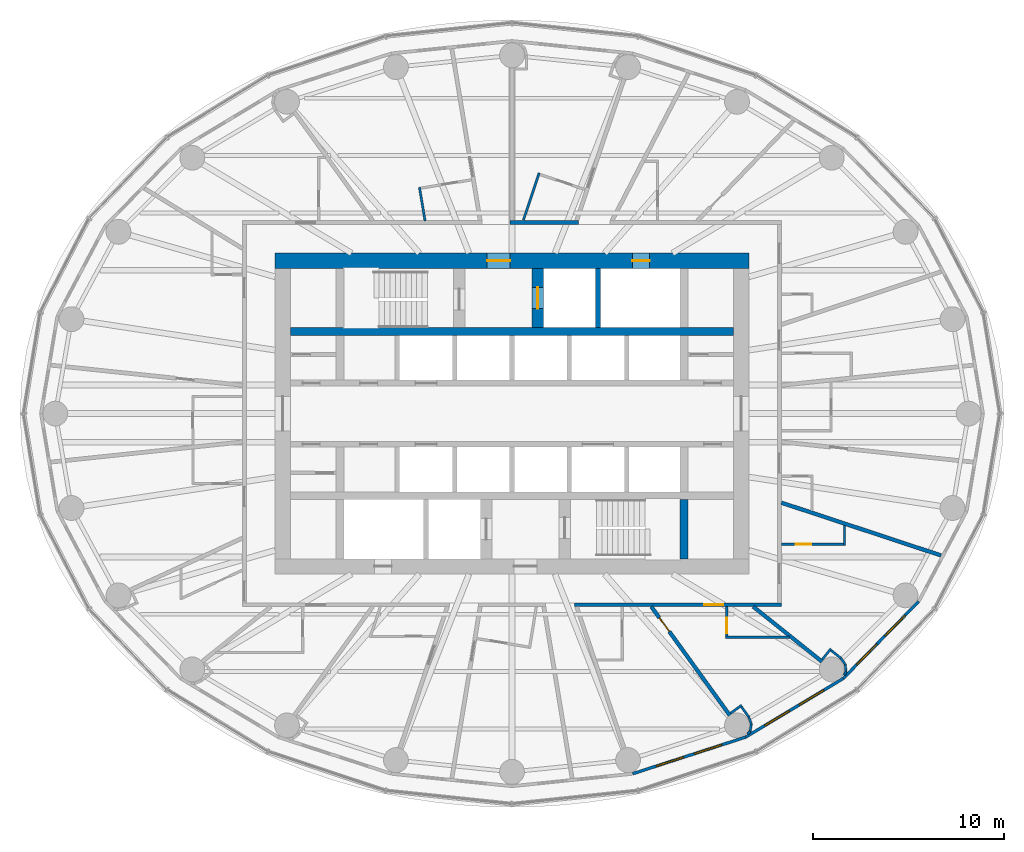
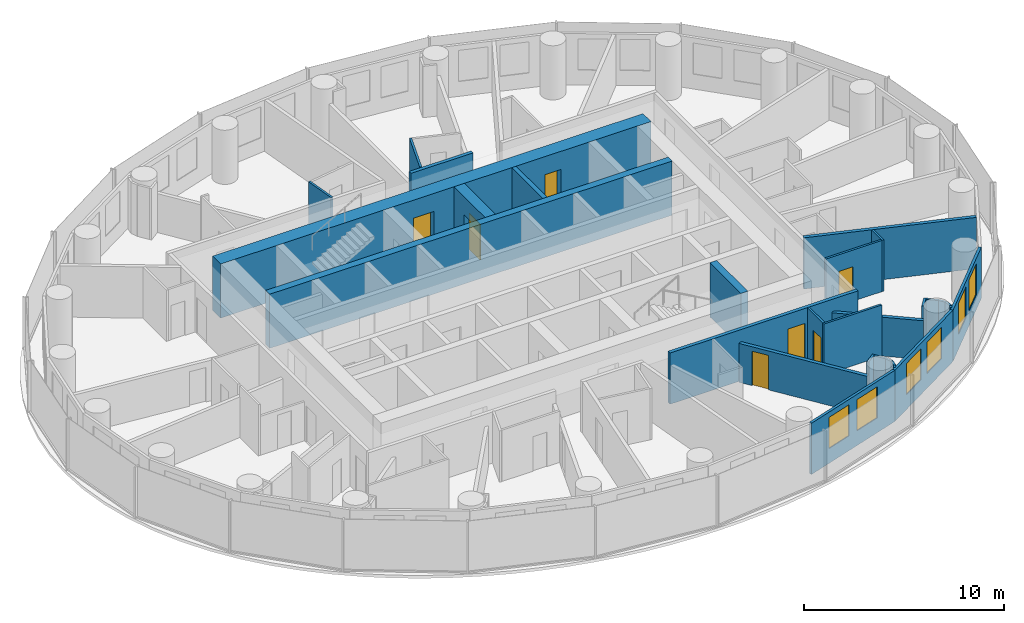
# One storey, part 9 of 13: 29 walls, 7 doors, 6 windows, 13 openings.
"""IFC4 building model written with IfcOpenShell, lengths in metres."""

from ifc_helpers import new_model, si_unit, direction, frame, frame_2d, origin, place, context, subcontext, project, spatial, rectangle, extrude, material, layer, layer_set, type_object, element, fill, save


model = new_model("IFC4")

# Units and contexts
model_context = context("Model", 3, precision=1e-05, world=origin(), true_north=direction((0.0, 1.0)))
body_context = subcontext(model_context, "Body", "Model", "MODEL_VIEW")
ifc_project = project(units=[si_unit("LENGTHUNIT", "METRE"), si_unit("AREAUNIT", "SQUARE_METRE"), si_unit("VOLUMEUNIT", "CUBIC_METRE"), si_unit("PLANEANGLEUNIT", "RADIAN"), si_unit("MASSUNIT", "GRAM", prefix="KILO")], contexts=[model_context])

# Site, building, storey
site_placement = place(None, origin())
site = spatial("IfcSite", under=ifc_project, at=site_placement, CompositionType="ELEMENT")
building_placement = place(site_placement, origin())
building = spatial("IfcBuilding", under=site, at=building_placement, Name="Hankou Lantern Tower", CompositionType="ELEMENT")
storey_placement = place(building_placement, frame((0.0, 0.0, 128.699951171875)))
storey = spatial("IfcBuildingStorey", under=building, at=storey_placement, Name="L33", CompositionType="ELEMENT", Elevation=128.699951171875)

# Wall, openings, doors
ifc_material_1 = material(Name="Concrete C60", Category="concrete")
ifc_layer_1 = layer(ifc_material_1, 0.800048828125)
ifc_layer_set_1 = layer_set([ifc_layer_1], Name="Concrete C60")
wall_type_1 = type_object("IfcWallType", Name="CW2 CORE WALL 800", PredefinedType="SHEAR", material=ifc_layer_set_1)
wall_1_placement = place(storey_placement, frame((-12.39990234375, 8.0, 0.0), z_axis=(0.0, 0.0, 1.0), x_axis=(1.0, 0.0, 0.0)))
wall_1 = element("IfcWall", 1, at=wall_1_placement, inside=storey, type_object=wall_type_1, Name="Core wall north L33", PredefinedType="SHEAR", context=body_context, shape_type="SweptSolid", body=[
    extrude(rectangle(XDim=24.7998046875, YDim=0.800048828125, at=frame_2d((12.39990234375, 0.0))), origin(), (0.0, 0.0, 1.0), 3.300048828125),
])
opening_1_placement = place(wall_1_placement, frame((11.10009765625, 0.0, 0.0)))
opening_1 = element("IfcOpeningElement", 2, at=opening_1_placement, cuts=wall_1, Name="Opening D5", PredefinedType="OPENING", context=body_context, shape_type="SweptSolid", body=[
    extrude(rectangle(XDim=1.199951171875, YDim=2.199951171875, at=frame_2d((0.60009765625, 1.10009765625))), frame((0.0, 0.409912109375, 0.0), z_axis=(0.0, -1.0, 0.0), x_axis=(1.0, 0.0, 0.0)), (0.0, 0.0, 1.0), 0.820068359375),
])
opening_2_placement = place(wall_1_placement, frame((18.699951171875, 0.0, 0.0)))
opening_2 = element("IfcOpeningElement", 3, at=opening_2_placement, cuts=wall_1, Name="Opening D7", PredefinedType="OPENING", context=body_context, shape_type="SweptSolid", body=[
    extrude(rectangle(XDim=0.89990234375, YDim=2.199951171875, at=frame_2d((0.449951171875, 1.10009765625))), frame((0.0, 0.409912109375, 0.0), z_axis=(0.0, -1.0, 0.0), x_axis=(1.0, 0.0, 0.0)), (0.0, 0.0, 1.0), 0.820068359375),
])
ifc_material_2 = material(Name="Steel door leaf", Category="steel")
door_type_1 = type_object("IfcDoorType", Name="D5 STAIR LOBBY DOOR 1200X2200", OperationType="SINGLE_SWING_LEFT", PredefinedType="DOOR", material=ifc_material_2)
door_1_placement = place(opening_1_placement, origin())
door_1 = element("IfcDoor", 4, at=door_1_placement, inside=storey, type_object=door_type_1, Name="Stair A lobby door", OperationType="SINGLE_SWING_LEFT", OverallHeight=2.199951171875, OverallWidth=1.199951171875, PredefinedType="DOOR", context=body_context, shape_type="SweptSolid", body=[
    extrude(rectangle(XDim=1.199951171875, YDim=2.199951171875, at=frame_2d((0.60009765625, 1.10009765625))), frame((0.0, 0.02490234375, 0.0), z_axis=(0.0, -1.0, 0.0), x_axis=(1.0, 0.0, 0.0)), (0.0, 0.0, 1.0), 0.050048828125),
])
fill(opening_1, door_1)
ifc_material_3 = material(Name="Steel door leaf", Category="steel")
door_type_2 = type_object("IfcDoorType", Name="D7 RISER DOOR 900X2200", OperationType="SINGLE_SWING_LEFT", PredefinedType="DOOR", material=ifc_material_3)
door_2_placement = place(opening_2_placement, origin())
door_2 = element("IfcDoor", 5, at=door_2_placement, inside=storey, type_object=door_type_2, Name="Riser N1 door", OperationType="SINGLE_SWING_RIGHT", OverallHeight=2.199951171875, OverallWidth=0.89990234375, PredefinedType="DOOR", context=body_context, shape_type="SweptSolid", body=[
    extrude(rectangle(XDim=0.89990234375, YDim=2.199951171875, at=frame_2d((0.449951171875, 1.10009765625))), frame((0.0, 0.02490234375, 0.0), z_axis=(0.0, -1.0, 0.0), x_axis=(1.0, 0.0, 0.0)), (0.0, 0.0, 1.0), 0.050048828125),
])
fill(opening_2, door_2)

# Walls
ifc_material_4 = material(Name="Concrete C60", Category="concrete")
ifc_layer_2 = layer(ifc_material_4, 0.39990234375)
ifc_layer_set_2 = layer_set([ifc_layer_2], Name="Concrete C60")
wall_type_2 = type_object("IfcWallType", Name="CW4 CORE CROSS WALL 400", PredefinedType="SHEAR", material=ifc_layer_set_2)
wall_2_placement = place(storey_placement, frame((-11.60009765625, 4.300048828125, 0.0), z_axis=(0.0, 0.0, 1.0), x_axis=(1.0, 0.0, 0.0)))
element("IfcWall", 6, at=wall_2_placement, inside=storey, type_object=wall_type_2, Name="Core band wall north L33", PredefinedType="SHEAR", context=body_context, shape_type="SweptSolid", body=[
    extrude(rectangle(XDim=23.2001953125, YDim=0.39990234375, at=frame_2d((11.60009765625, 0.0))), origin(), (0.0, 0.0, 1.0), 3.300048828125),
])
wall_3_placement = place(storey_placement, frame((9.0, -7.60009765625, 0.0), z_axis=(0.0, 0.0, 1.0), x_axis=(0.0, 1.0, 0.0)))
element("IfcWall", 7, at=wall_3_placement, inside=storey, type_object=wall_type_2, Name="Core strip wall L33", PredefinedType="SHEAR", context=body_context, shape_type="SweptSolid", body=[
    extrude(rectangle(XDim=3.10009765625, YDim=0.39990234375, at=frame_2d((1.550048828125, 0.0))), origin(), (0.0, 0.0, 1.0), 3.300048828125),
])

# Wall, opening, door
ifc_material_5 = material(Name="Concrete C60", Category="concrete")
ifc_layer_3 = layer(ifc_material_5, 0.60009765625)
ifc_layer_set_3 = layer_set([ifc_layer_3], Name="Concrete C60")
wall_type_3 = type_object("IfcWallType", Name="CW6 STAIR AND SHAFT WALL 600", PredefinedType="SHEAR", material=ifc_layer_set_3)
wall_4_placement = place(storey_placement, frame((1.35009765625, 4.5, 0.0), z_axis=(0.0, 0.0, 1.0), x_axis=(0.0, 1.0, 0.0)))
wall_4 = element("IfcWall", 8, at=wall_4_placement, inside=storey, type_object=wall_type_3, Name="Firefighting lift shaft wall L33", PredefinedType="SHEAR", context=body_context, shape_type="SweptSolid", body=[
    extrude(rectangle(XDim=3.10009765625, YDim=0.60009765625, at=frame_2d((1.550048828125, 0.0))), origin(), (0.0, 0.0, 1.0), 3.300048828125),
])
opening_3_placement = place(wall_4_placement, frame((1.0, 0.0, 0.0)))
opening_3 = element("IfcOpeningElement", 9, at=opening_3_placement, cuts=wall_4, Name="Opening LD2", PredefinedType="OPENING", context=body_context, shape_type="SweptSolid", body=[
    extrude(rectangle(XDim=1.10009765625, YDim=2.199951171875, at=frame_2d((0.550048828125, 1.10009765625))), frame((0.0, 0.31005859375, 0.0), z_axis=(0.0, -1.0, 0.0), x_axis=(1.0, 0.0, 0.0)), (0.0, 0.0, 1.0), 0.6201171875),
])
ifc_material_6 = material(Name="Steel door leaf", Category="steel")
door_type_3 = type_object("IfcDoorType", Name="LD2 FIREFIGHTING LIFT LANDING DOOR 1100X2200", OperationType="DOUBLE_DOOR_SLIDING", PredefinedType="DOOR", material=ifc_material_6)
door_3_placement = place(opening_3_placement, origin())
door_3 = element("IfcDoor", 10, at=door_3_placement, inside=storey, type_object=door_type_3, Name="Firefighting lift FL1 landing door", OperationType="DOUBLE_DOOR_SLIDING", OverallHeight=2.199951171875, OverallWidth=1.10009765625, PredefinedType="DOOR", context=body_context, shape_type="SweptSolid", body=[
    extrude(rectangle(XDim=1.10009765625, YDim=2.199951171875, at=frame_2d((0.550048828125, 1.10009765625))), frame((0.0, 0.02490234375, 0.0), z_axis=(0.0, -1.0, 0.0), x_axis=(1.0, 0.0, 0.0)), (0.0, 0.0, 1.0), 0.050048828125),
])
fill(opening_3, door_3)

# Wall, openings, windows
ifc_material_7 = material(Name="Aluminium spandrel panel on steel studs", Category="steel")
ifc_layer_4 = layer(ifc_material_7, 0.14990234375)
ifc_layer_set_4 = layer_set([ifc_layer_4], Name="Aluminium spandrel panel on steel studs")
wall_type_4 = type_object("IfcWallType", Name="EW1 INNER SKIN WALL 150", PredefinedType="ELEMENTEDWALL", material=ifc_layer_set_4)
wall_5_placement = place(storey_placement, frame((6.3134765625, -18.849609375, 0.0), z_axis=(0.0, 0.0, 1.0), x_axis=(0.951272691506, 0.308350881944, 0.0)))
wall_5 = element("IfcWall", 11, at=wall_5_placement, inside=storey, type_object=wall_type_4, Name="Inner skin R20-R21 L33", PredefinedType="ELEMENTEDWALL", context=body_context, shape_type="SweptSolid", body=[
    extrude(rectangle(XDim=6.210693359375, YDim=0.14990234375, at=frame_2d((3.10546875, 0.0))), origin(), (0.0, 0.0, 1.0), 3.1201171875),
])
opening_4_placement = place(wall_5_placement, frame((1.305419921875, 0.0, 0.89990234375)))
opening_4 = element("IfcOpeningElement", 12, at=opening_4_placement, cuts=wall_5, Name="Opening W2", PredefinedType="OPENING", context=body_context, shape_type="SweptSolid", body=[
    extrude(rectangle(XDim=1.5, YDim=1.89990234375, at=frame_2d((0.75, 0.949951171875))), frame((0.0, 0.0849609375, 0.0), z_axis=(0.0, -1.0, 0.0), x_axis=(1.0, 0.0, 0.0)), (0.0, 0.0, 1.0), 0.169921875),
])
opening_5_placement = place(wall_5_placement, frame((3.4052734375, 0.0, 0.89990234375)))
opening_5 = element("IfcOpeningElement", 13, at=opening_5_placement, cuts=wall_5, Name="Opening W2", PredefinedType="OPENING", context=body_context, shape_type="SweptSolid", body=[
    extrude(rectangle(XDim=1.5, YDim=1.89990234375, at=frame_2d((0.75, 0.949951171875))), frame((0.0, 0.0849609375, 0.0), z_axis=(0.0, -1.0, 0.0), x_axis=(1.0, 0.0, 0.0)), (0.0, 0.0, 1.0), 0.169921875),
])
ifc_material_8 = material(Name="Aluminium framed double glazed window", Category="aluminium")
window_type = type_object("IfcWindowType", Name="W2 GUEST ROOM WINDOW 1500X1900", PartitioningType="DOUBLE_PANEL_VERTICAL", PredefinedType="WINDOW", material=ifc_material_8)
window_1_placement = place(opening_4_placement, origin())
window_1 = element("IfcWindow", 14, at=window_1_placement, inside=storey, type_object=window_type, Name="Window R20.1 L33", OverallHeight=1.89990234375, OverallWidth=1.5, PartitioningType="SINGLE_PANEL", PredefinedType="WINDOW", context=body_context, shape_type="SweptSolid", body=[
    extrude(rectangle(XDim=1.5, YDim=1.89990234375, at=frame_2d((0.75, 0.949951171875))), frame((0.0, 0.030029296875, 0.0), z_axis=(0.0, -1.0, 0.0), x_axis=(1.0, 0.0, 0.0)), (0.0, 0.0, 1.0), 0.06005859375),
])
fill(opening_4, window_1)
window_2_placement = place(opening_5_placement, origin())
window_2 = element("IfcWindow", 15, at=window_2_placement, inside=storey, type_object=window_type, Name="Window R20.2 L33", OverallHeight=1.89990234375, OverallWidth=1.5, PartitioningType="SINGLE_PANEL", PredefinedType="WINDOW", context=body_context, shape_type="SweptSolid", body=[
    extrude(rectangle(XDim=1.5, YDim=1.89990234375, at=frame_2d((0.75, 0.949951171875))), frame((0.0, 0.030029296875, 0.0), z_axis=(0.0, -1.0, 0.0), x_axis=(1.0, 0.0, 0.0)), (0.0, 0.0, 1.0), 0.06005859375),
])
fill(opening_5, window_2)

wall_6_placement = place(storey_placement, frame((12.221435546875, -16.9345703125, 0.0), z_axis=(0.0, 0.0, 1.0), x_axis=(0.857308573723, 0.514802884044, 0.0)))
wall_6 = element("IfcWall", 16, at=wall_6_placement, inside=storey, type_object=wall_type_4, Name="Inner skin R21-R22 L33", PredefinedType="ELEMENTEDWALL", context=body_context, shape_type="SweptSolid", body=[
    extrude(rectangle(XDim=5.961181640625, YDim=0.14990234375, at=frame_2d((2.98046875, 0.0))), origin(), (0.0, 0.0, 1.0), 3.1201171875),
])
opening_6_placement = place(wall_6_placement, frame((1.1806640625, 0.0, 0.89990234375)))
opening_6 = element("IfcOpeningElement", 17, at=opening_6_placement, cuts=wall_6, Name="Opening W2", PredefinedType="OPENING", context=body_context, shape_type="SweptSolid", body=[
    extrude(rectangle(XDim=1.5, YDim=1.89990234375, at=frame_2d((0.75, 0.949951171875))), frame((0.0, 0.0849609375, 0.0), z_axis=(0.0, -1.0, 0.0), x_axis=(1.0, 0.0, 0.0)), (0.0, 0.0, 1.0), 0.169921875),
])
opening_7_placement = place(wall_6_placement, frame((3.280517578125, 0.0, 0.89990234375)))
opening_7 = element("IfcOpeningElement", 18, at=opening_7_placement, cuts=wall_6, Name="Opening W2", PredefinedType="OPENING", context=body_context, shape_type="SweptSolid", body=[
    extrude(rectangle(XDim=1.5, YDim=1.89990234375, at=frame_2d((0.75, 0.949951171875))), frame((0.0, 0.0849609375, 0.0), z_axis=(0.0, -1.0, 0.0), x_axis=(1.0, 0.0, 0.0)), (0.0, 0.0, 1.0), 0.169921875),
])
window_3_placement = place(opening_6_placement, origin())
window_3 = element("IfcWindow", 19, at=window_3_placement, inside=storey, type_object=window_type, Name="Window R21.1 L33", OverallHeight=1.89990234375, OverallWidth=1.5, PartitioningType="SINGLE_PANEL", PredefinedType="WINDOW", context=body_context, shape_type="SweptSolid", body=[
    extrude(rectangle(XDim=1.5, YDim=1.89990234375, at=frame_2d((0.75, 0.949951171875))), frame((0.0, 0.030029296875, 0.0), z_axis=(0.0, -1.0, 0.0), x_axis=(1.0, 0.0, 0.0)), (0.0, 0.0, 1.0), 0.06005859375),
])
fill(opening_6, window_3)
window_4_placement = place(opening_7_placement, origin())
window_4 = element("IfcWindow", 20, at=window_4_placement, inside=storey, type_object=window_type, Name="Window R21.2 L33", OverallHeight=1.89990234375, OverallWidth=1.5, PartitioningType="SINGLE_PANEL", PredefinedType="WINDOW", context=body_context, shape_type="SweptSolid", body=[
    extrude(rectangle(XDim=1.5, YDim=1.89990234375, at=frame_2d((0.75, 0.949951171875))), frame((0.0, 0.030029296875, 0.0), z_axis=(0.0, -1.0, 0.0), x_axis=(1.0, 0.0, 0.0)), (0.0, 0.0, 1.0), 0.06005859375),
])
fill(opening_7, window_4)

wall_7_placement = place(storey_placement, frame((17.33203125, -13.86572265625, 0.0), z_axis=(0.0, 0.0, 1.0), x_axis=(0.700136650834, 0.714008872605, 0.0)))
wall_7 = element("IfcWall", 21, at=wall_7_placement, inside=storey, type_object=wall_type_4, Name="Inner skin R22-R23 L33", PredefinedType="ELEMENTEDWALL", context=body_context, shape_type="SweptSolid", body=[
    extrude(rectangle(XDim=5.6494140625, YDim=0.14990234375, at=frame_2d((2.82470703125, 0.0))), origin(), (0.0, 0.0, 1.0), 3.1201171875),
])
opening_8_placement = place(wall_7_placement, frame((1.024658203125, 0.0, 0.89990234375)))
opening_8 = element("IfcOpeningElement", 22, at=opening_8_placement, cuts=wall_7, Name="Opening W2", PredefinedType="OPENING", context=body_context, shape_type="SweptSolid", body=[
    extrude(rectangle(XDim=1.5, YDim=1.89990234375, at=frame_2d((0.75, 0.949951171875))), frame((0.0, 0.0849609375, 0.0), z_axis=(0.0, -1.0, 0.0), x_axis=(1.0, 0.0, 0.0)), (0.0, 0.0, 1.0), 0.169921875),
])
opening_9_placement = place(wall_7_placement, frame((3.12451171875, 0.0, 0.89990234375)))
opening_9 = element("IfcOpeningElement", 23, at=opening_9_placement, cuts=wall_7, Name="Opening W2", PredefinedType="OPENING", context=body_context, shape_type="SweptSolid", body=[
    extrude(rectangle(XDim=1.5, YDim=1.89990234375, at=frame_2d((0.75, 0.949951171875))), frame((0.0, 0.0849609375, 0.0), z_axis=(0.0, -1.0, 0.0), x_axis=(1.0, 0.0, 0.0)), (0.0, 0.0, 1.0), 0.169921875),
])
window_5_placement = place(opening_8_placement, origin())
window_5 = element("IfcWindow", 24, at=window_5_placement, inside=storey, type_object=window_type, Name="Window R22.1 L33", OverallHeight=1.89990234375, OverallWidth=1.5, PartitioningType="SINGLE_PANEL", PredefinedType="WINDOW", context=body_context, shape_type="SweptSolid", body=[
    extrude(rectangle(XDim=1.5, YDim=1.89990234375, at=frame_2d((0.75, 0.949951171875))), frame((0.0, 0.030029296875, 0.0), z_axis=(0.0, -1.0, 0.0), x_axis=(1.0, 0.0, 0.0)), (0.0, 0.0, 1.0), 0.06005859375),
])
fill(opening_8, window_5)
window_6_placement = place(opening_9_placement, origin())
window_6 = element("IfcWindow", 25, at=window_6_placement, inside=storey, type_object=window_type, Name="Window R22.2 L33", OverallHeight=1.89990234375, OverallWidth=1.5, PartitioningType="SINGLE_PANEL", PredefinedType="WINDOW", context=body_context, shape_type="SweptSolid", body=[
    extrude(rectangle(XDim=1.5, YDim=1.89990234375, at=frame_2d((0.75, 0.949951171875))), frame((0.0, 0.030029296875, 0.0), z_axis=(0.0, -1.0, 0.0), x_axis=(1.0, 0.0, 0.0)), (0.0, 0.0, 1.0), 0.06005859375),
])
fill(opening_9, window_6)

# Walls
ifc_material_9 = material(Name="Masonry lightweight concrete block", Category="masonry")
ifc_layer_5 = layer(ifc_material_9, 0.199951171875)
ifc_layer_set_5 = layer_set([ifc_layer_5], Name="Masonry lightweight concrete block")
wall_type_5 = type_object("IfcWallType", Name="IW1 GUEST ROOM PARTY WALL 200", PredefinedType="PARTITIONING", material=ifc_layer_set_5)
wall_8_placement = place(storey_placement, frame((12.625, -10.10009765625, 0.0), z_axis=(0.0, 0.0, 1.0), x_axis=(0.780863644897, -0.624701503182, 0.0)))
element("IfcWall", 26, at=wall_8_placement, inside=storey, type_object=wall_type_5, Name="Party wall R22", PredefinedType="PARTITIONING", context=body_context, shape_type="SweptSolid", body=[
    extrude(rectangle(XDim=4.612060546875, YDim=0.199951171875, at=frame_2d((2.30615234375, 0.0))), origin(), (0.0, 0.0, 1.0), 2.3701171875),
])
wall_9_placement = place(storey_placement, frame((14.10009765625, -4.662353515625, 0.0), z_axis=(0.0, 0.0, 1.0), x_axis=(0.949446466373, -0.313928984789, 0.0)))
element("IfcWall", 27, at=wall_9_placement, inside=storey, type_object=wall_type_5, Name="Party wall R23-R24", PredefinedType="PARTITIONING", context=body_context, shape_type="SweptSolid", body=[
    extrude(rectangle(XDim=8.79736328125, YDim=0.199951171875, at=frame_2d((4.398681640625, 0.0))), origin(), (0.0, 0.0, 1.0), 3.1201171875),
])

# Wall, opening, door
ifc_material_10 = material(Name="Masonry lightweight concrete block", Category="masonry")
ifc_layer_6 = layer(ifc_material_10, 0.199951171875)
ifc_layer_set_6 = layer_set([ifc_layer_6], Name="Masonry lightweight concrete block")
wall_type_6 = type_object("IfcWallType", Name="IW2 CORRIDOR WALL 200", PredefinedType="PARTITIONING", material=ifc_layer_set_6)
wall_10_placement = place(storey_placement, frame((14.10009765625, -10.0, 0.0), z_axis=(0.0, 0.0, 1.0), x_axis=(-1.0, 0.0, 0.0)))
wall_10 = element("IfcWall", 28, at=wall_10_placement, inside=storey, type_object=wall_type_6, Name="Corridor wall south", PredefinedType="PARTITIONING", context=body_context, shape_type="SweptSolid", body=[
    extrude(rectangle(XDim=10.817138671875, YDim=0.199951171875, at=frame_2d((5.40869140625, 0.0))), origin(), (0.0, 0.0, 1.0), 3.1201171875),
])
opening_10_placement = place(wall_10_placement, frame((3.034912109375, 0.0, 0.0)))
opening_10 = element("IfcOpeningElement", 29, at=opening_10_placement, cuts=wall_10, Name="Opening D2", PredefinedType="OPENING", context=body_context, shape_type="SweptSolid", body=[
    extrude(rectangle(XDim=1.0, YDim=2.199951171875, at=frame_2d((0.5, 1.10009765625))), frame((0.0, 0.10986328125, 0.0), z_axis=(0.0, -1.0, 0.0), x_axis=(1.0, 0.0, 0.0)), (0.0, 0.0, 1.0), 0.219970703125),
])
ifc_material_11 = material(Name="Steel door leaf", Category="steel")
door_type_4 = type_object("IfcDoorType", Name="D2 SUITE DOOR 1000X2200", OperationType="SINGLE_SWING_LEFT", PredefinedType="DOOR", material=ifc_material_11)
door_4_placement = place(opening_10_placement, origin())
door_4 = element("IfcDoor", 30, at=door_4_placement, inside=storey, type_object=door_type_4, Name="Suite door 3314C", OperationType="SINGLE_SWING_LEFT", OverallHeight=2.199951171875, OverallWidth=1.0, PredefinedType="DOOR", context=body_context, shape_type="SweptSolid", body=[
    extrude(rectangle(XDim=1.0, YDim=2.199951171875, at=frame_2d((0.5, 1.10009765625))), frame((0.0, 0.02490234375, 0.0), z_axis=(0.0, -1.0, 0.0), x_axis=(1.0, 0.0, 0.0)), (0.0, 0.0, 1.0), 0.050048828125),
])
fill(opening_10, door_4)

# Walls
wall_11_placement = place(storey_placement, frame((-0.10009765625, 10.0, 0.0), z_axis=(0.0, 0.0, 1.0), x_axis=(1.0, 0.0, 0.0)))
element("IfcWall", 31, at=wall_11_placement, inside=storey, type_object=wall_type_6, Name="Corridor wall north", PredefinedType="PARTITIONING", context=body_context, shape_type="SweptSolid", body=[
    extrude(rectangle(XDim=3.5830078125, YDim=0.199951171875, at=frame_2d((1.79150390625, 0.0))), origin(), (0.0, 0.0, 1.0), 3.1201171875),
])
ifc_material_12 = material(Name="Masonry lightweight concrete block", Category="masonry")
ifc_layer_7 = layer(ifc_material_12, 0.1201171875)
ifc_layer_set_7 = layer_set([ifc_layer_7], Name="Masonry lightweight concrete block")
wall_type_7 = type_object("IfcWallType", Name="IW3 BATHROOM WALL 120", PredefinedType="PARTITIONING", material=ifc_layer_set_7)
wall_12_placement = place(storey_placement, frame((0.598876953125, 10.1318359375, 0.0), z_axis=(0.0, 0.0, 1.0), x_axis=(0.317554522053, 0.948240014724, 0.0)))
element("IfcWall", 32, at=wall_12_placement, inside=storey, type_object=wall_type_7, Name="Box wall 3302 1", PredefinedType="PARTITIONING", context=body_context, shape_type="SweptSolid", body=[
    extrude(rectangle(XDim=2.593994140625, YDim=0.1201171875, at=frame_2d((1.296875, 0.0))), origin(), (0.0, 0.0, 1.0), 3.1201171875),
])
wall_13_placement = place(storey_placement, frame((-4.551025390625, 10.083740234375, 0.0), z_axis=(0.0, 0.0, 1.0), x_axis=(-0.162625830583, 0.986687812445, 0.0)))
element("IfcWall", 33, at=wall_13_placement, inside=storey, type_object=wall_type_7, Name="Box wall 3304 1", PredefinedType="PARTITIONING", context=body_context, shape_type="SweptSolid", body=[
    extrude(rectangle(XDim=1.786376953125, YDim=0.1201171875, at=frame_2d((0.89306640625, 0.0))), origin(), (0.0, 0.0, 1.0), 3.1201171875),
])
wall_14_placement = place(storey_placement, frame((14.52490234375, -11.699951171875, 0.0), z_axis=(0.0, 0.0, 1.0), x_axis=(-1.0, 0.0, 0.0)))
element("IfcWall", 34, at=wall_14_placement, inside=storey, type_object=wall_type_7, Name="Box wall 3314C 1", PredefinedType="PARTITIONING", context=body_context, shape_type="SweptSolid", body=[
    extrude(rectangle(XDim=3.33984375, YDim=0.1201171875, at=frame_2d((1.669921875, 0.0))), origin(), (0.0, 0.0, 1.0), 3.1201171875),
])

# Wall, opening, door
wall_15_placement = place(storey_placement, frame((11.2451171875, -10.10009765625, 0.0), z_axis=(0.0, 0.0, 1.0), x_axis=(0.0, -1.0, 0.0)))
wall_15 = element("IfcWall", 35, at=wall_15_placement, inside=storey, type_object=wall_type_7, Name="Box wall 3314C 1", PredefinedType="PARTITIONING", context=body_context, shape_type="SweptSolid", body=[
    extrude(rectangle(XDim=1.539794921875, YDim=0.1201171875, at=frame_2d((0.77001953125, 0.0))), origin(), (0.0, 0.0, 1.0), 3.1201171875),
])
opening_11_placement = place(wall_15_placement, frame((0.590087890625, 0.0, 0.0)))
opening_11 = element("IfcOpeningElement", 36, at=opening_11_placement, cuts=wall_15, Name="Opening D3", PredefinedType="OPENING", context=body_context, shape_type="SweptSolid", body=[
    extrude(rectangle(XDim=0.800048828125, YDim=2.10009765625, at=frame_2d((0.39990234375, 1.050048828125))), frame((0.0, 0.070068359375, 0.0), z_axis=(0.0, -1.0, 0.0), x_axis=(1.0, 0.0, 0.0)), (0.0, 0.0, 1.0), 0.14013671875),
])
ifc_material_13 = material(Name="Timber door leaf", Category="wood")
door_type_5 = type_object("IfcDoorType", Name="D3 BATHROOM DOOR 800X2100", OperationType="SINGLE_SWING_LEFT", PredefinedType="DOOR", material=ifc_material_13)
door_5_placement = place(opening_11_placement, origin())
door_5 = element("IfcDoor", 37, at=door_5_placement, inside=storey, type_object=door_type_5, Name="Suite 3314 guest WC door", OperationType="SINGLE_SWING_RIGHT", OverallHeight=2.10009765625, OverallWidth=0.800048828125, PredefinedType="DOOR", context=body_context, shape_type="SweptSolid", body=[
    extrude(rectangle(XDim=0.800048828125, YDim=2.10009765625, at=frame_2d((0.39990234375, 1.050048828125))), frame((0.0, 0.02490234375, 0.0), z_axis=(0.0, -1.0, 0.0), x_axis=(1.0, 0.0, 0.0)), (0.0, 0.0, 1.0), 0.050048828125),
])
fill(opening_11, door_5)

# Wall
wall_16_placement = place(storey_placement, frame((17.39990234375, -5.853515625, 0.0), z_axis=(0.0, 0.0, 1.0), x_axis=(0.0, -1.0, 0.0)))
element("IfcWall", 38, at=wall_16_placement, inside=storey, type_object=wall_type_7, Name="Box wall 3315 1", PredefinedType="PARTITIONING", context=body_context, shape_type="SweptSolid", body=[
    extrude(rectangle(XDim=1.048828125, YDim=0.1201171875, at=frame_2d((0.5244140625, 0.0))), origin(), (0.0, 0.0, 1.0), 3.1201171875),
])

# Wall, opening, door
wall_17_placement = place(storey_placement, frame((14.10009765625, -6.84228515625, 0.0), z_axis=(0.0, 0.0, 1.0), x_axis=(1.0, 0.0, 0.0)))
wall_17 = element("IfcWall", 39, at=wall_17_placement, inside=storey, type_object=wall_type_7, Name="Box wall 3315 1", PredefinedType="PARTITIONING", context=body_context, shape_type="SweptSolid", body=[
    extrude(rectangle(XDim=3.239990234375, YDim=0.1201171875, at=frame_2d((1.6201171875, 0.0))), origin(), (0.0, 0.0, 1.0), 3.1201171875),
])
opening_12_placement = place(wall_17_placement, frame((0.75, 0.0, 0.0)))
opening_12 = element("IfcOpeningElement", 40, at=opening_12_placement, cuts=wall_17, Name="Opening D3", PredefinedType="OPENING", context=body_context, shape_type="SweptSolid", body=[
    extrude(rectangle(XDim=0.800048828125, YDim=2.10009765625, at=frame_2d((0.39990234375, 1.050048828125))), frame((0.0, 0.070068359375, 0.0), z_axis=(0.0, -1.0, 0.0), x_axis=(1.0, 0.0, 0.0)), (0.0, 0.0, 1.0), 0.14013671875),
])
door_6_placement = place(opening_12_placement, origin())
door_6 = element("IfcDoor", 41, at=door_6_placement, inside=storey, type_object=door_type_5, Name="En-suite bathroom 3315 door", OperationType="SINGLE_SWING_LEFT", OverallHeight=2.10009765625, OverallWidth=0.800048828125, PredefinedType="DOOR", context=body_context, shape_type="SweptSolid", body=[
    extrude(rectangle(XDim=0.800048828125, YDim=2.10009765625, at=frame_2d((0.39990234375, 1.050048828125))), frame((0.0, 0.02490234375, 0.0), z_axis=(0.0, -1.0, 0.0), x_axis=(1.0, 0.0, 0.0)), (0.0, 0.0, 1.0), 0.050048828125),
])
fill(opening_12, door_6)

# Walls
ifc_material_14 = material(Name="Masonry lightweight concrete block", Category="masonry")
ifc_layer_8 = layer(ifc_material_14, 0.1201171875)
ifc_layer_set_8 = layer_set([ifc_layer_8], Name="Masonry lightweight concrete block")
wall_type_8 = type_object("IfcWallType", Name="IW4 PARTITION 120", PredefinedType="PARTITIONING", material=ifc_layer_set_8)
wall_18_placement = place(storey_placement, frame((11.44091796875, -15.68212890625, 0.0), z_axis=(0.0, 0.0, 1.0), x_axis=(0.810796141244, 0.585328640461, 0.0)))
element("IfcWall", 42, at=wall_18_placement, inside=storey, type_object=wall_type_8, Name="Column casing R21 return", PredefinedType="PARTITIONING", context=body_context, shape_type="SweptSolid", body=[
    extrude(rectangle(XDim=0.7158203125, YDim=0.1201171875, at=frame_2d((0.35791015625, 0.0))), origin(), (0.0, 0.0, 1.0), 3.1201171875),
])
wall_19_placement = place(storey_placement, frame((12.0078125, -15.346923828125, 0.0), z_axis=(0.0, 0.0, 1.0), x_axis=(0.585175102182, -0.810906961239, 0.0)))
element("IfcWall", 43, at=wall_19_placement, inside=storey, type_object=wall_type_8, Name="Column casing R21", PredefinedType="PARTITIONING", context=body_context, shape_type="SweptSolid", body=[
    extrude(rectangle(XDim=0.64990234375, YDim=0.1201171875, at=frame_2d((0.324951171875, 0.0))), origin(), (0.0, 0.0, 1.0), 3.1201171875),
])
for number, where, z_axis, x_axis, name in (
    (44, (12.38818359375, -15.8740234375, 0.0), (0.0, 0.0, 1.0), (0.355086882425, -0.934833303819, 0.0), "Column casing R21"),
    (45, (12.527099609375, -16.23974609375, 0.0), (0.0, 0.0, 1.0), (-0.159134335894, -0.987256938765, 0.0), "Column casing R21"),
):
    element("IfcWall", number, at=place(storey_placement, frame(where, z_axis=z_axis, x_axis=x_axis)), inside=storey, type_object=wall_type_8, Name=name, PredefinedType="PARTITIONING", context=body_context, shape_type="SweptSolid", body=[
        extrude(rectangle(XDim=0.39111328125, YDim=0.1201171875, at=frame_2d((0.195556640625, 0.0))), origin(), (0.0, 0.0, 1.0), 3.1201171875),
    ])
wall_20_placement = place(storey_placement, frame((12.46484375, -16.6259765625, 0.0), z_axis=(0.0, 0.0, 1.0), x_axis=(-0.631672951162, -0.775234985517, 0.0)))
element("IfcWall", 46, at=wall_20_placement, inside=storey, type_object=wall_type_8, Name="Column casing R21", PredefinedType="PARTITIONING", context=body_context, shape_type="SweptSolid", body=[
    extrude(rectangle(XDim=0.18701171875, YDim=0.1201171875, at=frame_2d((0.093505859375, 0.0))), origin(), (0.0, 0.0, 1.0), 3.1201171875),
])
wall_21_placement = place(storey_placement, frame((16.241943359375, -12.865478515625, 0.0), z_axis=(0.0, 0.0, 1.0), x_axis=(0.624861414622, 0.780735686719, 0.0)))
element("IfcWall", 47, at=wall_21_placement, inside=storey, type_object=wall_type_8, Name="Column casing R22 return", PredefinedType="PARTITIONING", context=body_context, shape_type="SweptSolid", body=[
    extrude(rectangle(XDim=0.7158203125, YDim=0.1201171875, at=frame_2d((0.35791015625, 0.0))), origin(), (0.0, 0.0, 1.0), 3.1201171875),
])
wall_22_placement = place(storey_placement, frame((16.698486328125, -12.390869140625, 0.0), z_axis=(0.0, 0.0, 1.0), x_axis=(0.780722240533, -0.624878214645, 0.0)))
element("IfcWall", 48, at=wall_22_placement, inside=storey, type_object=wall_type_8, Name="Column casing R22", PredefinedType="PARTITIONING", context=body_context, shape_type="SweptSolid", body=[
    extrude(rectangle(XDim=0.650146484375, YDim=0.1201171875, at=frame_2d((0.3251953125, 0.0))), origin(), (0.0, 0.0, 1.0), 3.1201171875),
])
wall_23_placement = place(storey_placement, frame((17.2060546875, -12.797119140625, 0.0), z_axis=(0.0, 0.0, 1.0), x_axis=(0.592986095904, -0.805212698648, 0.0)))
element("IfcWall", 49, at=wall_23_placement, inside=storey, type_object=wall_type_8, Name="Column casing R22", PredefinedType="PARTITIONING", context=body_context, shape_type="SweptSolid", body=[
    extrude(rectangle(XDim=0.39111328125, YDim=0.1201171875, at=frame_2d((0.195556640625, 0.0))), origin(), (0.0, 0.0, 1.0), 3.1201171875),
])
wall_24_placement = place(storey_placement, frame((17.43798828125, -13.112060546875, 0.0), z_axis=(0.0, 0.0, 1.0), x_axis=(0.109815164188, -0.993952025862, 0.0)))
element("IfcWall", 50, at=wall_24_placement, inside=storey, type_object=wall_type_8, Name="Column casing R22", PredefinedType="PARTITIONING", context=body_context, shape_type="SweptSolid", body=[
    extrude(rectangle(XDim=0.391357421875, YDim=0.1201171875, at=frame_2d((0.19580078125, 0.0))), origin(), (0.0, 0.0, 1.0), 3.1201171875),
])
wall_25_placement = place(storey_placement, frame((17.48095703125, -13.5009765625, 0.0), z_axis=(0.0, 0.0, 1.0), x_axis=(-0.401504188288, -0.915857186895, 0.0)))
element("IfcWall", 51, at=wall_25_placement, inside=storey, type_object=wall_type_8, Name="Column casing R22", PredefinedType="PARTITIONING", context=body_context, shape_type="SweptSolid", body=[
    extrude(rectangle(XDim=0.20556640625, YDim=0.1201171875, at=frame_2d((0.102783203125, 0.0))), origin(), (0.0, 0.0, 1.0), 3.1201171875),
])

# Wall, opening, door
ifc_material_15 = material(Name="Masonry lightweight concrete block", Category="masonry")
ifc_layer_9 = layer(ifc_material_15, 0.199951171875)
ifc_layer_set_9 = layer_set([ifc_layer_9], Name="Masonry lightweight concrete block")
wall_type_9 = type_object("IfcWallType", Name="IW6 SUITE PARTITION 200", PredefinedType="PARTITIONING", material=ifc_layer_set_9)
wall_26_placement = place(storey_placement, frame((7.2890625, -10.10009765625, 0.0), z_axis=(0.0, 0.0, 1.0), x_axis=(0.585217367024, -0.81087645997, 0.0)))
wall_26 = element("IfcWall", 52, at=wall_26_placement, inside=storey, type_object=wall_type_9, Name="Suite partition R21", PredefinedType="PARTITIONING", context=body_context, shape_type="SweptSolid", body=[
    extrude(rectangle(XDim=7.01611328125, YDim=0.199951171875, at=frame_2d((3.508056640625, 0.0))), origin(), (0.0, 0.0, 1.0), 2.3701171875),
])
opening_13_placement = place(wall_26_placement, frame((0.719970703125, 0.0, 0.0)))
opening_13 = element("IfcOpeningElement", 53, at=opening_13_placement, cuts=wall_26, Name="Opening D27", PredefinedType="OPENING", context=body_context, shape_type="SweptSolid", body=[
    extrude(rectangle(XDim=0.89990234375, YDim=2.10009765625, at=frame_2d((0.449951171875, 1.050048828125))), frame((0.0, 0.10986328125, 0.0), z_axis=(0.0, -1.0, 0.0), x_axis=(1.0, 0.0, 0.0)), (0.0, 0.0, 1.0), 0.219970703125),
])
ifc_material_16 = material(Name="Timber door leaf", Category="wood")
door_type_6 = type_object("IfcDoorType", Name="D27 INTERNAL DOOR 900X2100", OperationType="SINGLE_SWING_LEFT", PredefinedType="DOOR", material=ifc_material_16)
door_7_placement = place(opening_13_placement, origin())
door_7 = element("IfcDoor", 54, at=door_7_placement, inside=storey, type_object=door_type_6, Name="Suite 3314 living room door", OperationType="SINGLE_SWING_LEFT", OverallHeight=2.10009765625, OverallWidth=0.89990234375, PredefinedType="DOOR", context=body_context, shape_type="SweptSolid", body=[
    extrude(rectangle(XDim=0.89990234375, YDim=2.10009765625, at=frame_2d((0.449951171875, 1.050048828125))), frame((0.0, 0.02490234375, 0.0), z_axis=(0.0, -1.0, 0.0), x_axis=(1.0, 0.0, 0.0)), (0.0, 0.0, 1.0), 0.050048828125),
])
fill(opening_13, door_7)

# Wall
ifc_material_17 = material(Name="Masonry autoclaved aerated concrete block", Category="masonry")
ifc_layer_10 = layer(ifc_material_17, 0.25)
ifc_layer_set_10 = layer_set([ifc_layer_10], Name="Masonry autoclaved aerated concrete block")
wall_type_10 = type_object("IfcWallType", Name="SW1 SHAFT BLOCK WALL 250", PredefinedType="PARTITIONING", material=ifc_layer_set_10)
wall_27_placement = place(storey_placement, frame((4.5, 4.5, 0.0), z_axis=(0.0, 0.0, 1.0), x_axis=(0.0, 1.0, 0.0)))
element("IfcWall", 55, at=wall_27_placement, inside=storey, type_object=wall_type_10, Name="Riser wall L33", PredefinedType="PARTITIONING", context=body_context, shape_type="SweptSolid", body=[
    extrude(rectangle(XDim=3.10009765625, YDim=0.25, at=frame_2d((1.550048828125, 0.0))), origin(), (0.0, 0.0, 1.0), 3.300048828125),
])

save(model, "model.ifc")
